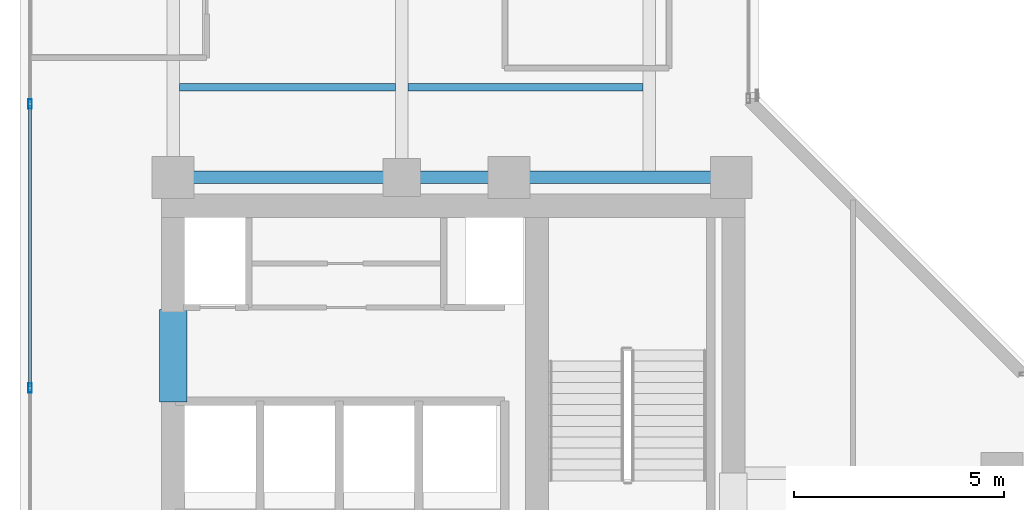
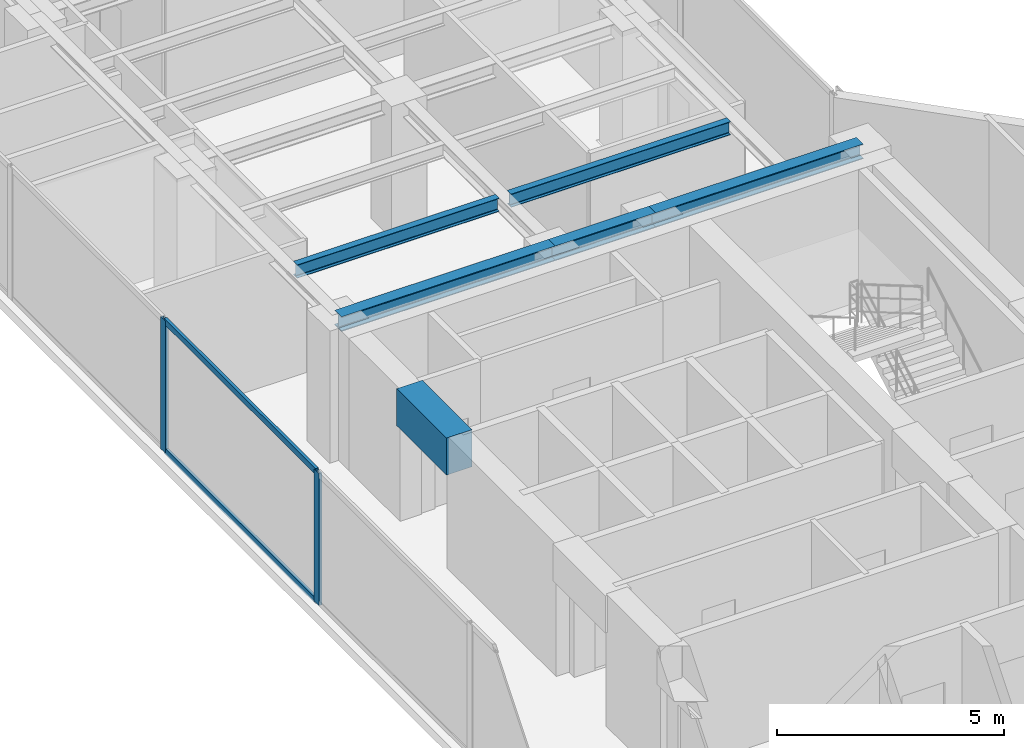
# One storey, part 6 of 23: 6 beams, 4 members, 1 element without a shape of its own.
"""IFC4 building model written with IfcOpenShell, lengths in metres."""

from ifc_helpers import new_model, si_unit, direction, frame, origin, origin_with_axes, origin_2d, place, context, subcontext, project, spatial, rectangle, hollow_rectangle, i_section, extrude, source, transform, mapped, material, layer, layer_set, material_profile, profile_set, type_object, element, aggregate, save


model = new_model("IFC4")

# Units and contexts
model_context = context("Model", 3, precision=1e-05, world=origin(), true_north=direction((0.0, 1.0)))
body_context = subcontext(model_context, "Body", "Model", "MODEL_VIEW")
ifc_project = project(units=[si_unit("LENGTHUNIT", "METRE"), si_unit("AREAUNIT", "SQUARE_METRE"), si_unit("VOLUMEUNIT", "CUBIC_METRE"), si_unit("PLANEANGLEUNIT", "RADIAN"), si_unit("MASSUNIT", "GRAM", prefix="KILO")], contexts=[model_context])

# Site, building, storey
site_placement = place(None, origin())
site = spatial("IfcSite", under=ifc_project, at=site_placement, CompositionType="ELEMENT")
building_placement = place(site_placement, origin())
building = spatial("IfcBuilding", under=site, at=building_placement, Name="Kolvaren Waterfront Exchange", CompositionType="ELEMENT")
storey_placement = place(building_placement, frame((0.0, 0.0, 212.10009765625)))
storey = spatial("IfcBuildingStorey", under=building, at=storey_placement, Name="L54", CompositionType="ELEMENT", Elevation=212.10009765625)

# Beams
ifc_material_1 = material(Name="Steel S355", Category="steel")
ifc_material_profile_1 = material_profile(ifc_material_1, i_section(OverallWidth=0.300048828125, OverallDepth=0.39990234375, WebThickness=0.013427734375, FlangeThickness=0.02392578125, FilletRadius=0.027099609375, at=origin_2d()), Name="HEB400")
ifc_profile_set_1 = profile_set([ifc_material_profile_1], Name="Steel S355")
beam_type_1 = type_object("IfcBeamType", Name="STR-BM-HEB400", PredefinedType="BEAM", material=ifc_profile_set_1)
beam_1_placement = place(storey_placement, frame((7.449951171875, 24.449951171875, 3.35986328125), z_axis=(1.0, 0.0, 0.0), x_axis=(0.0, 1.0, 0.0)))
element("IfcBeam", 1, at=beam_1_placement, inside=storey, type_object=beam_type_1, Name="L54 north-arm girder 1A", PredefinedType="BEAM", context=body_context, shape_type="SweptSolid", body=[
    extrude(i_section(OverallWidth=0.300048828125, OverallDepth=0.39990234375, WebThickness=0.013427734375, FlangeThickness=0.02392578125, FilletRadius=0.027099609375, at=origin_2d()), origin(), (0.0, 0.0, 1.0), 5.449951171875),
])
beam_2_placement = place(storey_placement, frame((12.89990234375, 24.449951171875, 3.35986328125), z_axis=(1.0, 0.0, 0.0), x_axis=(0.0, 1.0, 0.0)))
element("IfcBeam", 2, at=beam_2_placement, inside=storey, type_object=beam_type_1, Name="L54 north-arm girder 1B", PredefinedType="BEAM", context=body_context, shape_type="SweptSolid", body=[
    extrude(i_section(OverallWidth=0.300048828125, OverallDepth=0.39990234375, WebThickness=0.013427734375, FlangeThickness=0.02392578125, FilletRadius=0.027099609375, at=origin_2d()), origin(), (0.0, 0.0, 1.0), 2.550048828125),
])
beam_3_placement = place(storey_placement, frame((15.449951171875, 24.449951171875, 3.35986328125), z_axis=(1.0, 0.0, 0.0), x_axis=(0.0, 1.0, 0.0)))
element("IfcBeam", 3, at=beam_3_placement, inside=storey, type_object=beam_type_1, Name="L54 north-arm girder 1C", PredefinedType="BEAM", context=body_context, shape_type="SweptSolid", body=[
    extrude(i_section(OverallWidth=0.300048828125, OverallDepth=0.39990234375, WebThickness=0.013427734375, FlangeThickness=0.02392578125, FilletRadius=0.027099609375, at=origin_2d()), origin(), (0.0, 0.0, 1.0), 5.300048828125),
])
ifc_material_profile_2 = material_profile(ifc_material_1, i_section(OverallWidth=0.169921875, OverallDepth=0.360107421875, WebThickness=0.008056640625, FlangeThickness=0.0126953125, FilletRadius=0.01806640625, at=origin_2d()), Name="IPE360")
ifc_profile_set_2 = profile_set([ifc_material_profile_2], Name="Steel S355")
beam_type_2 = type_object("IfcBeamType", Name="STR-BM-IPE360", PredefinedType="JOIST", material=ifc_profile_set_2)
beam_4_placement = place(storey_placement, frame((7.60205078125, 26.60009765625, 3.3798828125), z_axis=(1.0, 0.0, 0.0), x_axis=(0.0, 1.0, 0.0)))
element("IfcBeam", 4, at=beam_4_placement, inside=storey, type_object=beam_type_2, Name="L54 north-arm composite joist 1A", PredefinedType="JOIST", context=body_context, shape_type="SweptSolid", body=[
    extrude(i_section(OverallWidth=0.169921875, OverallDepth=0.360107421875, WebThickness=0.008056640625, FlangeThickness=0.0126953125, FilletRadius=0.01806640625, at=origin_2d()), origin(), (0.0, 0.0, 1.0), 5.14599609375),
])
beam_5_placement = place(storey_placement, frame((13.052001953125, 26.60009765625, 3.3798828125), z_axis=(1.0, 0.0, 0.0), x_axis=(0.0, 1.0, 0.0)))
element("IfcBeam", 5, at=beam_5_placement, inside=storey, type_object=beam_type_2, Name="L54 north-arm composite joist 1B", PredefinedType="JOIST", context=body_context, shape_type="SweptSolid", body=[
    extrude(i_section(OverallWidth=0.169921875, OverallDepth=0.360107421875, WebThickness=0.008056640625, FlangeThickness=0.0126953125, FilletRadius=0.01806640625, at=origin_2d()), origin(), (0.0, 0.0, 1.0), 5.595947265625),
])
ifc_material_2 = material(Name="Concrete C60/75", Category="concrete")
ifc_material_profile_3 = material_profile(ifc_material_2, rectangle(XDim=0.64990234375, YDim=1.0, at=origin_2d()), Name="RC-CB-1000x650")
ifc_profile_set_3 = profile_set([ifc_material_profile_3], Name="Concrete C60/75")
beam_type_3 = type_object("IfcBeamType", Name="STR-CB-1000", PredefinedType="SPANDREL", material=ifc_profile_set_3)
beam_6_placement = place(storey_placement, frame((7.449951171875, 19.10009765625, 3.059814453125), z_axis=(0.0, 1.0, 0.0), x_axis=(-1.0, 0.0, 0.0)))
element("IfcBeam", 6, at=beam_6_placement, inside=storey, type_object=beam_type_3, Name="L54 core coupling beam 5", PredefinedType="SPANDREL", context=body_context, shape_type="SweptSolid", body=[
    extrude(rectangle(XDim=0.64990234375, YDim=1.0, at=origin_2d()), origin(), (0.0, 0.0, 1.0), 2.199951171875),
])

# Curtain wall, members
ifc_material_3 = material(Name="Anodised aluminium 6063-T6", Category="aluminium")
ifc_layer = layer(ifc_material_3, 0.219970703125, Name="Anodised aluminium 6063-T6")
ifc_layer_set = layer_set([ifc_layer], Name="Anodised aluminium 6063-T6")
curtain_wall_type = type_object("IfcCurtainWallType", Name="ARC-CW-SYS2", PredefinedType="USERDEFINED", material=ifc_layer_set)
curtain_wall_placement = place(storey_placement, origin())
curtain_wall = element("IfcCurtainWall", 7, at=curtain_wall_placement, inside=storey, type_object=curtain_wall_type, Name="L54 stick curtain wall CW2 (CW-L54-W)", ObjectType="STICK CURTAIN WALL", PredefinedType="USERDEFINED")
ifc_material_profile_4 = material_profile(ifc_material_3, hollow_rectangle(XDim=0.074951171875, YDim=0.159912109375, WallThickness=0.00439453125, at=origin_2d()), Name="ALU-TRN-160x75x4.5")
ifc_profile_set_4 = profile_set([ifc_material_profile_4], Name="Anodised aluminium 6063-T6")
member_type_1 = type_object("IfcMemberType", Name="ARC-CWT-160", PredefinedType="USERDEFINED", material=ifc_profile_set_4)
shared_shape_1 = source(origin_with_axes(), body_context, "Body", "SweptSolid", [
    extrude(hollow_rectangle(XDim=0.074951171875, YDim=0.159912109375, WallThickness=0.00439453125, at=origin_2d()), origin(), (0.0, 0.0, 1.0), 6.6865234375),
])
member_1_placement = place(storey_placement, frame((4.0400390625, 19.473388671875, 0.037353515625), z_axis=(0.0, 1.0, 0.0), x_axis=(-1.0, 0.0, 0.0)))
member_1 = element("IfcMember", 8, at=member_1_placement, type_object=member_type_1, Name="CW2 transom 3.1", ObjectType="TRANSOM", PredefinedType="USERDEFINED", context=body_context, shape_type="MappedRepresentation", body=[
    mapped(shared_shape_1, transform((0.0, 0.0, 0.0), x_axis=(1.0, 0.0, 0.0), y_axis=(0.0, 1.0, 0.0), z_axis=(0.0, 0.0, 1.0), scale=1.0)),
])
member_2_placement = place(storey_placement, frame((4.0400390625, 19.473388671875, 3.5224609375), z_axis=(0.0, 1.0, 0.0), x_axis=(-1.0, 0.0, 0.0)))
member_2 = element("IfcMember", 9, at=member_2_placement, type_object=member_type_1, Name="CW2 transom 3.2", ObjectType="TRANSOM", PredefinedType="USERDEFINED", context=body_context, shape_type="MappedRepresentation", body=[
    mapped(shared_shape_1, transform((0.0, 0.0, 0.0), x_axis=(1.0, 0.0, 0.0), y_axis=(0.0, 1.0, 0.0), z_axis=(0.0, 0.0, 1.0), scale=1.0)),
])
ifc_material_profile_5 = material_profile(ifc_material_3, hollow_rectangle(XDim=0.080078125, YDim=0.219970703125, WallThickness=0.0048828125, at=origin_2d()), Name="ALU-MUL-220x80x5")
ifc_profile_set_5 = profile_set([ifc_material_profile_5], Name="Anodised aluminium 6063-T6")
member_type_2 = type_object("IfcMemberType", Name="ARC-CWM-220", PredefinedType="MULLION", material=ifc_profile_set_5)
shared_shape_2 = source(origin_with_axes(), body_context, "Body", "SweptSolid", [
    extrude(hollow_rectangle(XDim=0.080078125, YDim=0.219970703125, WallThickness=0.0048828125, at=origin_2d()), origin(), (0.0, 0.0, 1.0), 3.559814453125),
])
member_3_placement = place(storey_placement, frame((4.0400390625, 19.433349609375, 0.0), z_axis=(0.0, 0.0, 1.0), x_axis=(-1.0, 0.0, 0.0)))
member_3 = element("IfcMember", 10, at=member_3_placement, type_object=member_type_2, Name="CW2 mullion 3", PredefinedType="MULLION", context=body_context, shape_type="MappedRepresentation", body=[
    mapped(shared_shape_2, transform((0.0, 0.0, 0.0), x_axis=(1.0, 0.0, 0.0), y_axis=(0.0, 1.0, 0.0), z_axis=(0.0, 0.0, 1.0), scale=1.0)),
])
member_4_placement = place(storey_placement, frame((4.0400390625, 26.199951171875, 0.0), z_axis=(0.0, 0.0, 1.0), x_axis=(-1.0, 0.0, 0.0)))
member_4 = element("IfcMember", 11, at=member_4_placement, type_object=member_type_2, Name="CW2 mullion 4", PredefinedType="MULLION", context=body_context, shape_type="MappedRepresentation", body=[
    mapped(shared_shape_2, transform((0.0, 0.0, 0.0), x_axis=(1.0, 0.0, 0.0), y_axis=(0.0, 1.0, 0.0), z_axis=(0.0, 0.0, 1.0), scale=1.0)),
])
aggregate(curtain_wall, [member_3, member_4, member_1, member_2])

save(model, "model.ifc")
